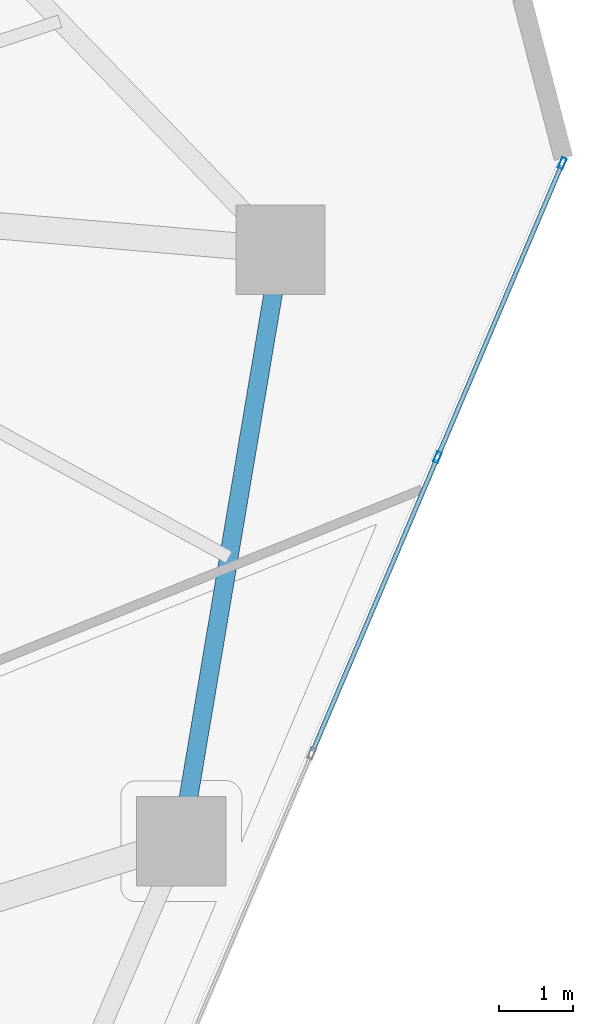
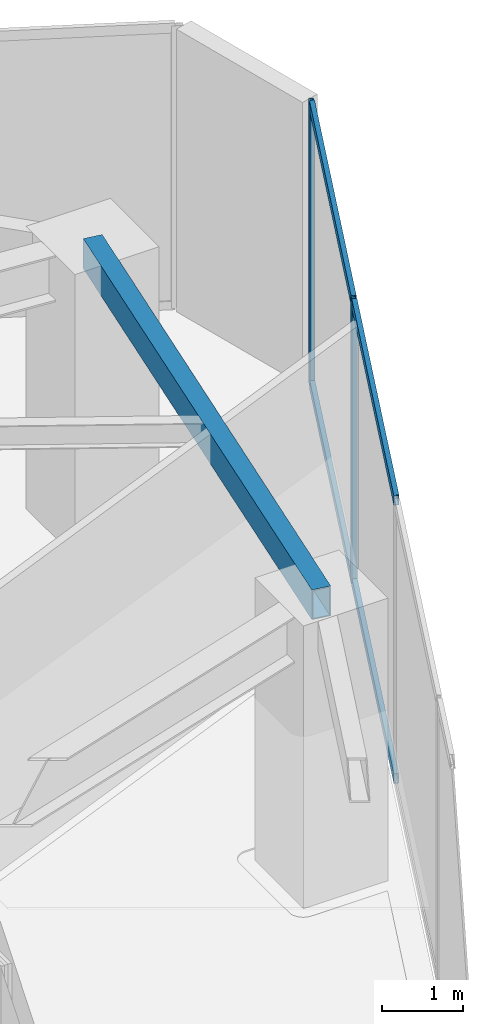
# One storey, part 16 of 28: 6 members, 1 beam, 1 element without a shape of its own.
"""IFC4 building model written with IfcOpenShell, lengths in metres."""

from ifc_helpers import new_model, si_unit, direction, frame, origin, origin_2d, place, context, subcontext, project, spatial, hollow_rectangle, extrude, source, transform, mapped, material, layer, layer_set, material_profile, profile_set, type_object, type_shapes, element, aggregate, save


model = new_model("IFC4")

# Units and contexts
model_context = context("Model", 3, precision=1e-05, world=origin(), true_north=direction((0.0, 1.0)))
body_context = subcontext(model_context, "Body", "Model", "MODEL_VIEW")
ifc_project = project(units=[si_unit("LENGTHUNIT", "METRE"), si_unit("AREAUNIT", "SQUARE_METRE"), si_unit("VOLUMEUNIT", "CUBIC_METRE"), si_unit("PLANEANGLEUNIT", "RADIAN"), si_unit("MASSUNIT", "GRAM", prefix="KILO")], contexts=[model_context])

# Site, building, storey
site_placement = place(None, origin())
site = spatial("IfcSite", under=ifc_project, at=site_placement, CompositionType="ELEMENT")
building_placement = place(site_placement, origin())
building = spatial("IfcBuilding", under=site, at=building_placement, Name="Talar Marvaseh", CompositionType="ELEMENT")
storey_placement = place(building_placement, frame((0.0, 0.0, 157.800048828125)))
storey = spatial("IfcBuildingStorey", under=building, at=storey_placement, Name="L41", CompositionType="ELEMENT", Elevation=157.800048828125)

# Beam
ifc_material_1 = material(Name="Steel S355", Category="steel")
ifc_material_profile_1 = material_profile(ifc_material_1, hollow_rectangle(XDim=0.25, YDim=0.449951171875, WallThickness=0.01611328125, at=origin_2d()), Name="RHS450x250x16")
ifc_profile_set_1 = profile_set([ifc_material_profile_1], Name="Steel S355")
beam_type = type_object("IfcBeamType", Name="Zone 2 Perimeter Spandrel Beam RHS450x250x16", PredefinedType="SPANDREL", material=ifc_profile_set_1)
beam_placement = place(storey_placement, frame((43.0439453125, 36.075927734375, 4.02490234375), z_axis=(-0.165641685249, -0.986186002795, 0.0), x_axis=(0.986186002795, -0.165641685249, 0.0)))
element("IfcBeam", 1, at=beam_placement, inside=storey, type_object=beam_type, Name="L41 Zone 2 Perimeter Spandrel Beam RHS450x250x16", PredefinedType="SPANDREL", context=body_context, shape_type="SweptSolid", body=[
    extrude(hollow_rectangle(XDim=0.25, YDim=0.449951171875, WallThickness=0.01611328125, at=origin_2d()), origin(), (0.0, 0.0, 1.0), 8.059326171875),
])

# Curtain wall, members
ifc_material_2 = material(Name="Architectural Aluminium", Category="aluminium")
ifc_layer = layer(ifc_material_2, 0.239990234375)
ifc_layer_set = layer_set([ifc_layer], Name="Architectural Aluminium")
curtain_wall_type = type_object("IfcCurtainWallType", Name="Observation Sky Gallery Structural Glass Wall", PredefinedType="NOTDEFINED", material=ifc_layer_set)
curtain_wall_placement = place(storey_placement, origin())
curtain_wall = element("IfcCurtainWall", 2, at=curtain_wall_placement, inside=storey, type_object=curtain_wall_type, Name="L41 Observation Sky Gallery Structural Glass Wall", PredefinedType="NOTDEFINED")
ifc_material_profile_2 = material_profile(ifc_material_2, hollow_rectangle(XDim=0.06494140625, YDim=0.14990234375, WallThickness=0.00390625, at=origin_2d()), Name="RHS150x65x4")
ifc_profile_set_2 = profile_set([ifc_material_profile_2], Name="Architectural Aluminium")
member_type_1 = type_object("IfcMemberType", Name="Unitised Curtain Wall Slim Mullion RHS150x65x4", PredefinedType="MULLION", material=ifc_profile_set_2)
shared_shape_1 = source(origin(), body_context, "Body", "SweptSolid", [
    extrude(hollow_rectangle(XDim=0.06494140625, YDim=0.14990234375, WallThickness=0.00390625, at=origin_2d()), origin(), (0.0, 0.0, 1.0), 4.25),
])
type_shapes(member_type_1, [shared_shape_1])
member_1_placement = place(storey_placement, frame((46.830078125, 37.23779296875, 0.0), z_axis=(0.0, 0.0, 1.0), x_axis=(0.920444238505, -0.390873897571, 0.0)))
member_1 = element("IfcMember", 3, at=member_1_placement, type_object=member_type_1, Name="CW-OBS mullion 1", PredefinedType="MULLION", context=body_context, shape_type="MappedRepresentation", body=[
    mapped(shared_shape_1, transform((0.0, 0.0, 0.0), x_axis=(1.0, 0.0, 0.0), y_axis=(0.0, 1.0, 0.0), z_axis=(0.0, 0.0, 1.0), scale=1.0)),
])
member_2_placement = place(storey_placement, frame((45.15283203125, 33.2880859375, 0.0), z_axis=(0.0, 0.0, 1.0), x_axis=(0.920444238505, -0.390873897571, 0.0)))
member_2 = element("IfcMember", 4, at=member_2_placement, type_object=member_type_1, Name="CW-OBS mullion 2", PredefinedType="MULLION", context=body_context, shape_type="MappedRepresentation", body=[
    mapped(shared_shape_1, transform((0.0, 0.0, 0.0), x_axis=(1.0, 0.0, 0.0), y_axis=(0.0, 1.0, 0.0), z_axis=(0.0, 0.0, 1.0), scale=1.0)),
])
ifc_material_profile_3 = material_profile(ifc_material_2, hollow_rectangle(XDim=0.06494140625, YDim=0.14990234375, WallThickness=0.00390625, at=origin_2d()), Name="RHS150x65x4")
ifc_profile_set_3 = profile_set([ifc_material_profile_3], Name="Architectural Aluminium")
member_type_2 = type_object("IfcMemberType", Name="Unitised Curtain Wall Slim Transom RHS150x65x4", PredefinedType="USERDEFINED", material=ifc_profile_set_3)
shared_shape_2 = source(origin(), body_context, "Body", "SweptSolid", [
    extrude(hollow_rectangle(XDim=0.06494140625, YDim=0.14990234375, WallThickness=0.00390625, at=origin_2d()), origin(), (0.0, 0.0, 1.0), 4.225830078125),
])
member_3_placement = place(storey_placement, frame((46.8173828125, 37.207763671875, 0.032470703125), z_axis=(-0.390891061959, -0.920436949324, 0.0), x_axis=(0.920436949324, -0.390891061959, 0.0)))
member_3 = element("IfcMember", 5, at=member_3_placement, type_object=member_type_2, Name="CW-OBS transom 1.1", ObjectType="TRANSOM", PredefinedType="USERDEFINED", context=body_context, shape_type="MappedRepresentation", body=[
    mapped(shared_shape_2, transform((0.0, 0.0, 0.0), x_axis=(1.0, 0.0, 0.0), y_axis=(0.0, 1.0, 0.0), z_axis=(0.0, 0.0, 1.0), scale=1.0)),
])
member_4_placement = place(storey_placement, frame((46.8173828125, 37.207763671875, 4.217529296875), z_axis=(-0.390891061959, -0.920436949324, 0.0), x_axis=(0.920436949324, -0.390891061959, 0.0)))
member_4 = element("IfcMember", 6, at=member_4_placement, type_object=member_type_2, Name="CW-OBS transom 1.2", ObjectType="TRANSOM", PredefinedType="USERDEFINED", context=body_context, shape_type="MappedRepresentation", body=[
    mapped(shared_shape_2, transform((0.0, 0.0, 0.0), x_axis=(1.0, 0.0, 0.0), y_axis=(0.0, 1.0, 0.0), z_axis=(0.0, 0.0, 1.0), scale=1.0)),
])
shared_shape_3 = source(origin(), body_context, "Body", "SweptSolid", [
    extrude(hollow_rectangle(XDim=0.06494140625, YDim=0.14990234375, WallThickness=0.00390625, at=origin_2d()), origin(), (0.0, 0.0, 1.0), 4.2587890625),
])
type_shapes(member_type_2, [shared_shape_2, shared_shape_3])
member_5_placement = place(storey_placement, frame((45.14013671875, 33.25830078125, 0.032470703125), z_axis=(-0.390858991893, -0.920450568177, 0.0), x_axis=(0.920450568177, -0.390858991893, 0.0)))
member_5 = element("IfcMember", 7, at=member_5_placement, type_object=member_type_2, Name="CW-OBS transom 2.1", ObjectType="TRANSOM", PredefinedType="USERDEFINED", context=body_context, shape_type="MappedRepresentation", body=[
    mapped(shared_shape_3, transform((0.0, 0.0, 0.0), x_axis=(1.0, 0.0, 0.0), y_axis=(0.0, 1.0, 0.0), z_axis=(0.0, 0.0, 1.0), scale=1.0)),
])
member_6_placement = place(storey_placement, frame((45.14013671875, 33.25830078125, 4.217529296875), z_axis=(-0.390858991893, -0.920450568177, 0.0), x_axis=(0.920450568177, -0.390858991893, 0.0)))
member_6 = element("IfcMember", 8, at=member_6_placement, type_object=member_type_2, Name="CW-OBS transom 2.2", ObjectType="TRANSOM", PredefinedType="USERDEFINED", context=body_context, shape_type="MappedRepresentation", body=[
    mapped(shared_shape_3, transform((0.0, 0.0, 0.0), x_axis=(1.0, 0.0, 0.0), y_axis=(0.0, 1.0, 0.0), z_axis=(0.0, 0.0, 1.0), scale=1.0)),
])
aggregate(curtain_wall, [member_1, member_2, member_3, member_4, member_5, member_6])

save(model, "model.ifc")
